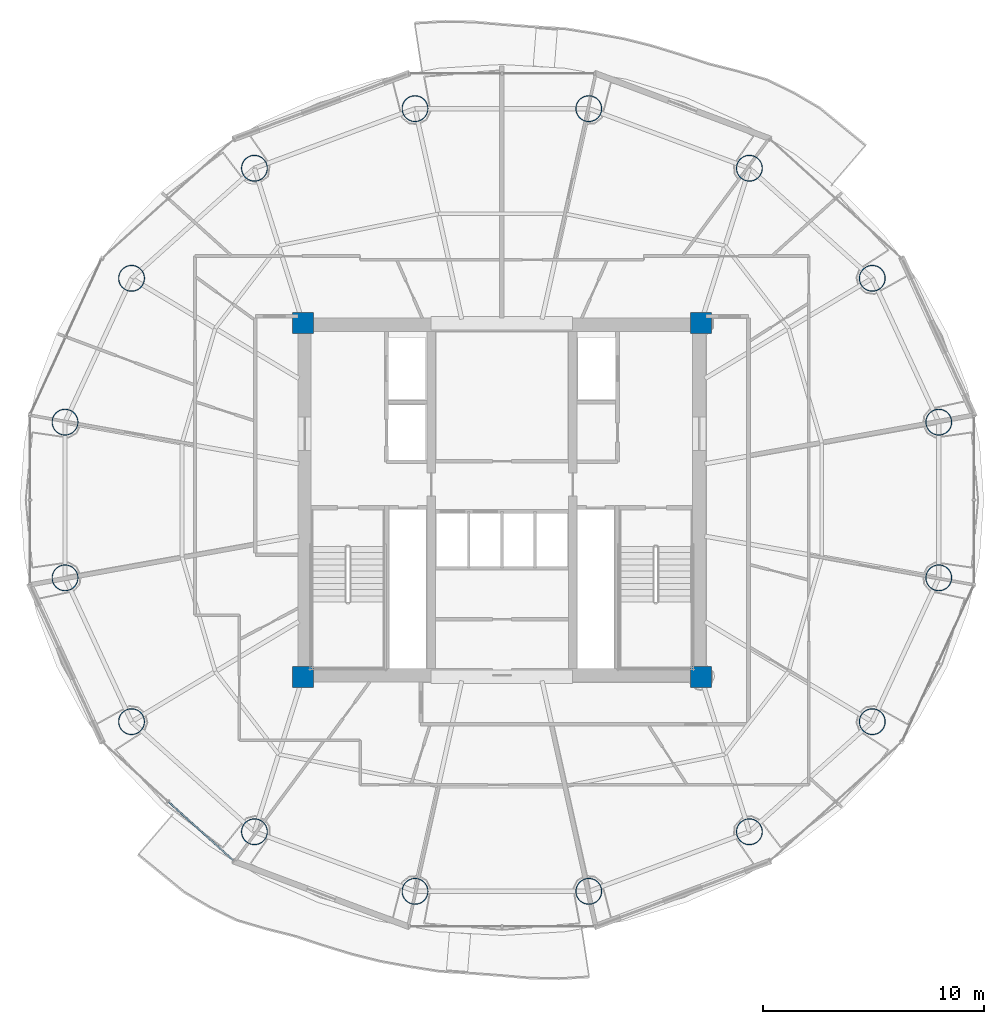
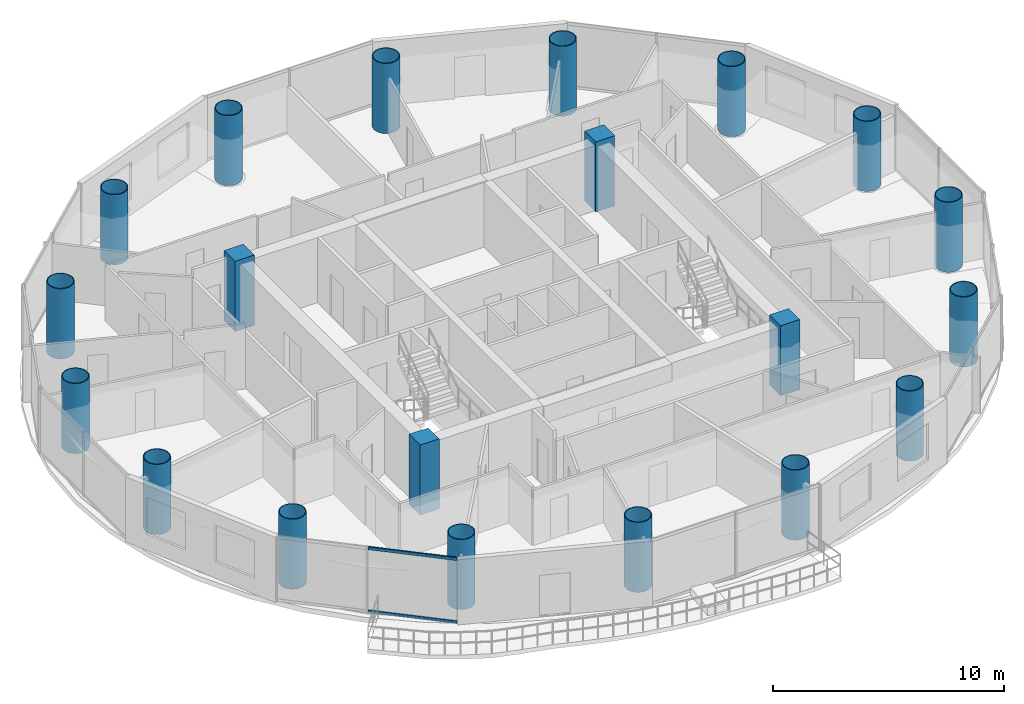
# One storey, part 1 of 27: 20 columns, 2 members, 1 element without a shape of its own.
"""IFC4 building model written with IfcOpenShell, lengths in metres."""

from ifc_helpers import new_model, si_unit, direction, frame, origin, origin_2d, place, context, subcontext, project, spatial, rectangle, hollow_rectangle, hollow_circle, extrude, source, transform, mapped, material, material_profile, profile_set, type_object, element, aggregate, save


model = new_model("IFC4")

# Units and contexts
model_context = context("Model", 3, precision=1e-05, world=origin(), true_north=direction((-0.2419218956, 0.970295726276)))
body_context = subcontext(model_context, "Body", "Model", "MODEL_VIEW")
ifc_project = project(units=[si_unit("LENGTHUNIT", "METRE"), si_unit("AREAUNIT", "SQUARE_METRE"), si_unit("VOLUMEUNIT", "CUBIC_METRE"), si_unit("PLANEANGLEUNIT", "RADIAN"), si_unit("MASSUNIT", "GRAM", prefix="KILO")], contexts=[model_context])

# Site, building, storey
site_placement = place(None, origin())
site = spatial("IfcSite", under=ifc_project, at=site_placement, CompositionType="ELEMENT")
building_placement = place(site_placement, origin())
building = spatial("IfcBuilding", under=site, at=building_placement, Name="Cobrevalo Terracotta Tower", CompositionType="ELEMENT")
storey_placement = place(building_placement, frame((0.0, 0.0, 194.89990234375)))
storey = spatial("IfcBuildingStorey", under=building, at=storey_placement, Name="L51", CompositionType="ELEMENT", Elevation=194.89990234375)

# Columns
ifc_material_1 = material(Name="Steel S355", Category="steel")
ifc_material_profile_1 = material_profile(ifc_material_1, hollow_circle(Radius=0.60009765625, WallThickness=0.0380859375, at=origin_2d()), Name="CHS 1200x38")
ifc_profile_set_1 = profile_set([ifc_material_profile_1], Name="Steel S355")
column_type_1 = type_object("IfcColumnType", Name="Structural Column CHS 1200x38 (Steel S355)", PredefinedType="COLUMN", material=ifc_profile_set_1)
for number, where, z_axis, x_axis, name in (
    (1, (57.762939453125, 30.3212890625, 0.0), (0.0, 0.0, 1.0), (1.0, 0.0, 0.0), "L51 composite megacolumn MC01"),
    (2, (54.754150390625, 36.828125, 0.0), (0.0, 0.0, 1.0), (1.0, 0.0, 0.0), "L51 composite megacolumn MC02"),
    (3, (49.19482421875, 41.80810546875, 0.0), (0.0, 0.0, 1.0), (1.0, 0.0, 0.0), "L51 composite megacolumn MC03"),
    (4, (41.93115234375, 44.503173828125, 0.0), (0.0, 0.0, 1.0), (1.0, 0.0, 0.0), "L51 composite megacolumn MC04"),
    (5, (34.06884765625, 44.503173828125, 0.0), (0.0, 0.0, 1.0), (1.0, 0.0, 0.0), "L51 composite megacolumn MC05"),
    (6, (26.80517578125, 41.80810546875, 0.0), (0.0, 0.0, 1.0), (1.0, 0.0, 0.0), "L51 composite megacolumn MC06"),
    (7, (21.245849609375, 36.828125, 0.0), (0.0, 0.0, 1.0), (1.0, 0.0, 0.0), "L51 composite megacolumn MC07"),
    (8, (18.237060546875, 30.3212890625, 0.0), (0.0, 0.0, 1.0), (1.0, 0.0, 0.0), "L51 composite megacolumn MC08"),
    (9, (18.237060546875, 23.278564453125, 0.0), (0.0, 0.0, 1.0), (1.0, 0.0, 0.0), "L51 composite megacolumn MC09"),
    (10, (21.245849609375, 16.77197265625, 0.0), (0.0, 0.0, 1.0), (1.0, 0.0, 0.0), "L51 composite megacolumn MC10"),
    (11, (26.80517578125, 11.7919921875, 0.0), (0.0, 0.0, 1.0), (1.0, 0.0, 0.0), "L51 composite megacolumn MC11"),
    (12, (34.06884765625, 9.096923828125, 0.0), (0.0, 0.0, 1.0), (1.0, 0.0, 0.0), "L51 composite megacolumn MC12"),
    (13, (41.93115234375, 9.096923828125, 0.0), (0.0, 0.0, 1.0), (1.0, 0.0, 0.0), "L51 composite megacolumn MC13"),
    (14, (49.19482421875, 11.7919921875, 0.0), (0.0, 0.0, 1.0), (1.0, 0.0, 0.0), "L51 composite megacolumn MC14"),
    (15, (54.754150390625, 16.77197265625, 0.0), (0.0, 0.0, 1.0), (1.0, 0.0, 0.0), "L51 composite megacolumn MC15"),
    (16, (57.762939453125, 23.278564453125, 0.0), (0.0, 0.0, 1.0), (1.0, 0.0, 0.0), "L51 composite megacolumn MC16"),
):
    element("IfcColumn", number, at=place(storey_placement, frame(where, z_axis=z_axis, x_axis=x_axis)), inside=storey, type_object=column_type_1, Name=name, PredefinedType="COLUMN", context=body_context, shape_type="SweptSolid", body=[
        extrude(hollow_circle(Radius=0.60009765625, WallThickness=0.0380859375, at=origin_2d()), origin(), (0.0, 0.0, 1.0), 3.7001953125),
    ])
ifc_material_2 = material(Name="Concrete C55", Category="concrete")
ifc_material_profile_2 = material_profile(ifc_material_2, rectangle(XDim=0.949951171875, YDim=0.949951171875, at=origin_2d()), Name="RC COL 950x950")
ifc_profile_set_2 = profile_set([ifc_material_profile_2], Name="Concrete C55")
column_type_2 = type_object("IfcColumnType", Name="Structural Column RC COL 950x950 (Concrete C55)", PredefinedType="COLUMN", material=ifc_profile_set_2)
for number, where, z_axis, x_axis, name in (
    (17, (29.0, 18.800048828125, 0.0), (0.0, 0.0, 1.0), (1.0, 0.0, 0.0), "L51 core corner column CC1"),
    (18, (47.0, 18.800048828125, 0.0), (0.0, 0.0, 1.0), (1.0, 0.0, 0.0), "L51 core corner column CC2"),
    (19, (47.0, 34.800048828125, 0.0), (0.0, 0.0, 1.0), (1.0, 0.0, 0.0), "L51 core corner column CC3"),
    (20, (29.0, 34.800048828125, 0.0), (0.0, 0.0, 1.0), (1.0, 0.0, 0.0), "L51 core corner column CC4"),
):
    element("IfcColumn", number, at=place(storey_placement, frame(where, z_axis=z_axis, x_axis=x_axis)), inside=storey, type_object=column_type_2, Name=name, PredefinedType="COLUMN", context=body_context, shape_type="SweptSolid", body=[
        extrude(rectangle(XDim=0.949951171875, YDim=0.949951171875, at=origin_2d()), origin(), (0.0, 0.0, 1.0), 3.7001953125),
    ])

# Curtain wall, members
ifc_material_3 = material(Name="Anodized aluminium", Category="aluminium")
curtain_wall_type = type_object("IfcCurtainWallType", Name="Mid-tower high-wind unitised curtain wall CW-U2", PredefinedType="NOTDEFINED", material=ifc_material_3)
curtain_wall_placement = place(storey_placement, origin())
curtain_wall = element("IfcCurtainWall", 21, at=curtain_wall_placement, inside=storey, type_object=curtain_wall_type, Name="L51 curtain wall CW-L51-S10", PredefinedType="NOTDEFINED")
ifc_material_profile_3 = material_profile(ifc_material_3, hollow_rectangle(XDim=0.074951171875, YDim=0.14990234375, WallThickness=0.00439453125, at=origin_2d()), Name="CWT 75x150")
ifc_profile_set_3 = profile_set([ifc_material_profile_3], Name="Anodized aluminium")
member_type = type_object("IfcMemberType", Name="Tower unitised aluminium transom 75x150", PredefinedType="USERDEFINED", material=ifc_profile_set_3)
shared_shape = source(origin(), body_context, "Body", "SweptSolid", [
    extrude(hollow_rectangle(XDim=0.074951171875, YDim=0.14990234375, WallThickness=0.00439453125, at=origin_2d()), origin(), (0.0, 0.0, 1.0), 3.927734375),
])
member_1_placement = place(storey_placement, frame((22.931640625, 13.131591796875, 0.050048828125), z_axis=(0.742003891138, -0.670395573923, 0.0), x_axis=(0.670395573923, 0.742003891138, 0.0)))
member_1 = element("IfcMember", 22, at=member_1_placement, type_object=member_type, Name="CW-L51-S10 transom B02-T1", ObjectType="TRANSOM", PredefinedType="USERDEFINED", context=body_context, shape_type="MappedRepresentation", body=[
    mapped(shared_shape, transform((0.0, 0.0, 0.0), scale=1.0)),
])
member_2_placement = place(storey_placement, frame((22.931640625, 13.131591796875, 3.385009765625), z_axis=(0.742003891138, -0.670395573923, 0.0), x_axis=(0.670395573923, 0.742003891138, 0.0)))
member_2 = element("IfcMember", 23, at=member_2_placement, type_object=member_type, Name="CW-L51-S10 transom B02-T2", ObjectType="TRANSOM", PredefinedType="USERDEFINED", context=body_context, shape_type="MappedRepresentation", body=[
    mapped(shared_shape, transform((0.0, 0.0, 0.0), scale=1.0)),
])
aggregate(curtain_wall, [member_1, member_2])

save(model, "model.ifc")
